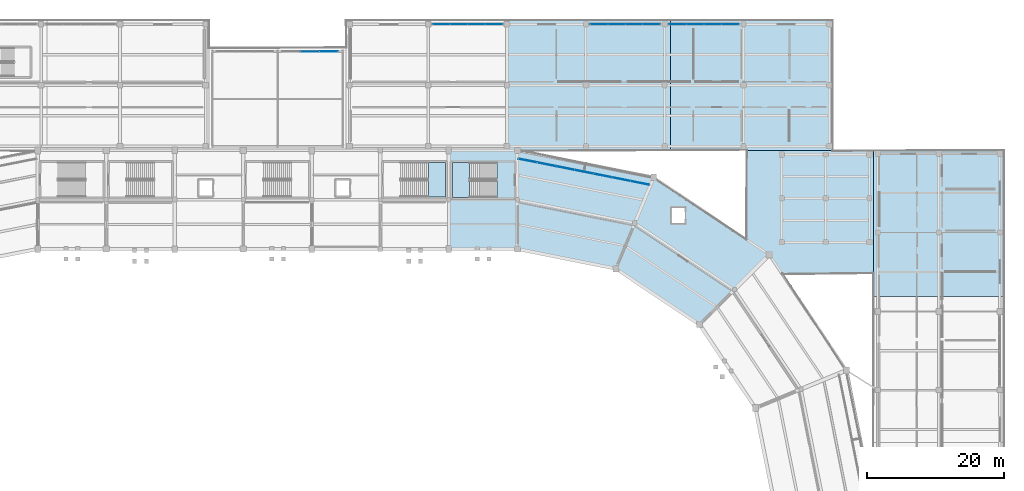
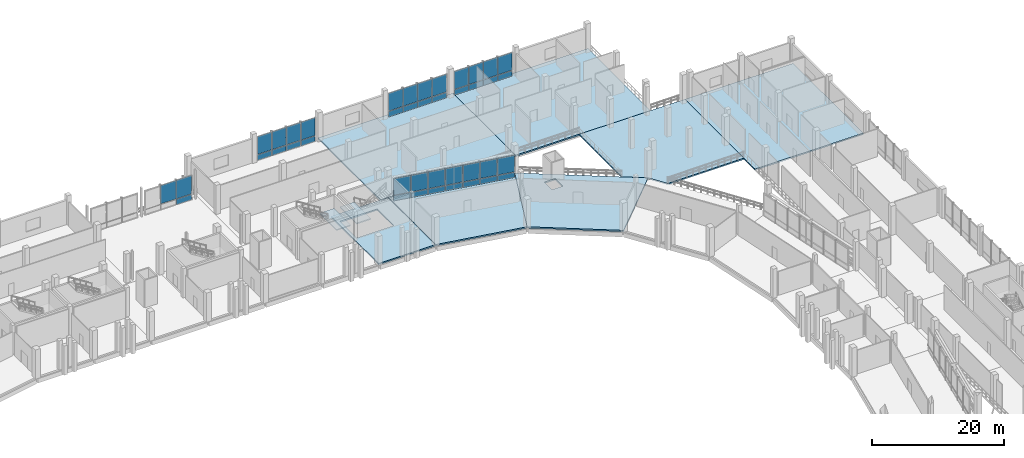
# One storey, part 69 of 114: 41 plates, 9 slabs, 7 elements without a shape of their own.
"""IFC4 building model written with IfcOpenShell, lengths in metres."""

from ifc_helpers import new_model, si_unit, direction, frame, origin, origin_2d, place, context, subcontext, project, spatial, polyline, rectangle, outline, extrude, material, layer, layer_set, type_object, element, aggregate, save


model = new_model("IFC4")

# Units and contexts
model_context = context("Model", 3, precision=1e-05, world=origin(), true_north=direction((0.0, 1.0)))
body_context = subcontext(model_context, "Body", "Model", "MODEL_VIEW")
ifc_project = project(units=[si_unit("LENGTHUNIT", "METRE"), si_unit("AREAUNIT", "SQUARE_METRE"), si_unit("VOLUMEUNIT", "CUBIC_METRE"), si_unit("PLANEANGLEUNIT", "RADIAN"), si_unit("MASSUNIT", "GRAM", prefix="KILO")], contexts=[model_context])

# Site, building, storey
site_placement = place(None, origin())
site = spatial("IfcSite", under=ifc_project, at=site_placement, CompositionType="ELEMENT")
building_placement = place(site_placement, origin())
building = spatial("IfcBuilding", under=site, at=building_placement, Name="Candeia Ridge Stadium", CompositionType="ELEMENT")
storey_placement = place(building_placement, frame((0.0, 0.0, 5.39990234375)))
storey = spatial("IfcBuildingStorey", under=building, at=storey_placement, Name="L01", CompositionType="ELEMENT", Elevation=5.39990234375)

# Slabs
ifc_material_1 = material(Name="Concrete C40/50", Category="concrete")
ifc_layer_1 = layer(ifc_material_1, 0.260009765625, Name="Concrete C40/50", Category="concrete")
ifc_layer_set_1 = layer_set([ifc_layer_1], Name="Concrete C40/50")
slab_type_1 = type_object("IfcSlabType", Name="Concourse Structural Slab 260", PredefinedType="FLOOR", material=ifc_layer_set_1)
slab_1_placement = place(storey_placement, frame((0.0, 0.0, -0.260009765625)))
element("IfcSlab", 1, at=slab_1_placement, inside=storey, type_object=slab_type_1, Name="Bowl concourse sector slab L01 bay 01 SLB-L01-0037", PredefinedType="FLOOR", context=body_context, shape_type="SweptSolid", body=[
    extrude(outline(polyline([(131.0, 132.60009765625), (131.0, 147.0), (140.9599609375, 147.0), (140.9599609375, 132.60009765625), (131.0, 132.60009765625)]), holes=[polyline([(138.04931640625, 145.199951171875), (131.5, 145.199951171875), (131.5, 140.14990234375), (138.04931640625, 140.14990234375), (138.04931640625, 145.199951171875)])]), origin(), (0.0, 0.0, 1.0), 0.260009765625),
])
slab_2_placement = place(storey_placement, frame((0.0, 0.0, -0.260009765625)))
element("IfcSlab", 2, at=slab_2_placement, inside=storey, type_object=slab_type_1, Name="Bowl concourse sector slab L01 bay 35 SLB-L01-0071", PredefinedType="FLOOR", context=body_context, shape_type="SweptSolid", body=[
    extrude(outline(polyline([(155.388916015625, 129.73779296875), (160.8994140625, 143.041748046875), (177.76953125, 131.76953125), (167.587158203125, 121.587158203125), (155.388916015625, 129.73779296875)]), holes=[polyline([(165.449951171875, 136.35009765625), (165.449951171875, 138.64990234375), (163.550048828125, 138.64990234375), (163.550048828125, 136.35009765625), (165.449951171875, 136.35009765625)])]), origin(), (0.0, 0.0, 1.0), 0.260009765625),
])
slab_3_placement = place(storey_placement, frame((0.0, 0.0, -0.260009765625)))
element("IfcSlab", 3, at=slab_3_placement, inside=storey, type_object=slab_type_1, Name="Bowl concourse sector slab L01 bay 36 SLB-L01-0072", PredefinedType="FLOOR", context=body_context, shape_type="SweptSolid", body=[
    extrude(outline(polyline([(141.039306640625, 132.59228515625), (141.039306640625, 146.9921875), (160.8994140625, 143.041748046875), (155.388916015625, 129.73779296875), (141.039306640625, 132.59228515625)])), origin(), (0.0, 0.0, 1.0), 0.260009765625),
])
slab_4_placement = place(storey_placement, frame((0.0, 0.0, -0.260009765625)))
element("IfcSlab", 4, at=slab_4_placement, inside=storey, type_object=slab_type_1, Name="Wing floor slab east SLB-L01-0223", PredefinedType="FLOOR", context=body_context, shape_type="SweptSolid", body=[
    extrude(outline(polyline([(193.0, 125.666748046875), (193.0, 147.0), (212.0, 147.0), (212.0, 125.666748046875), (193.0, 125.666748046875)])), origin(), (0.0, 0.0, 1.0), 0.260009765625),
])
slab_5_placement = place(storey_placement, frame((0.0, 0.0, -0.260009765625)))
element("IfcSlab", 5, at=slab_5_placement, inside=storey, type_object=slab_type_1, Name="Wing floor slab ne_n SLB-L01-0236", PredefinedType="FLOOR", context=body_context, shape_type="SweptSolid", body=[
    extrude(outline(polyline([(139.666748046875, 147.0), (139.666748046875, 166.0), (163.333251953125, 166.0), (163.333251953125, 147.0), (139.666748046875, 147.0)])), origin(), (0.0, 0.0, 1.0), 0.260009765625),
])
slab_6_placement = place(storey_placement, frame((0.0, 0.0, -0.260009765625)))
element("IfcSlab", 6, at=slab_6_placement, inside=storey, type_object=slab_type_1, Name="Wing floor slab ne_n SLB-L01-0237", PredefinedType="FLOOR", context=body_context, shape_type="SweptSolid", body=[
    extrude(outline(polyline([(163.333251953125, 147.0), (163.333251953125, 166.0), (187.0, 166.0), (187.0, 147.0), (163.333251953125, 147.0)])), origin(), (0.0, 0.0, 1.0), 0.260009765625),
])

# Stair, slab
stair_type = type_object("IfcStairType", Name="Enclosed Core Half-Turn Stair 2450", PredefinedType="HALF_TURN_STAIR", material=ifc_material_1)
stair_1_placement = place(storey_placement, origin())
stair_1 = element("IfcStair", 7, at=stair_1_placement, inside=storey, type_object=stair_type, Name="L01 Enclosed exit stair ST04", PredefinedType="HALF_TURN_STAIR")
ifc_layer_2 = layer(ifc_material_1, 0.199951171875, Name="Concrete C40/50", Category="concrete")
ifc_layer_set_2 = layer_set([ifc_layer_2], Name="Concrete C40/50")
slab_type_2 = type_object("IfcSlabType", Name="Core Stair Landing Slab 200", PredefinedType="LANDING", material=ifc_layer_set_2)
slab_7_placement = place(storey_placement, frame((0.0, 0.0, 2.5)))
slab_7 = element("IfcSlab", 8, at=slab_7_placement, type_object=slab_type_2, Name="ST04 landing 1", PredefinedType="LANDING", context=body_context, shape_type="SweptSolid", body=[
    extrude(outline(polyline([(133.989990234375, 145.199951171875), (131.5, 145.199951171875), (131.5, 140.14990234375), (133.989990234375, 140.14990234375), (133.989990234375, 145.199951171875)])), origin(), (0.0, 0.0, 1.0), 0.2001953125),
])
aggregate(stair_1, [slab_7])

stair_2_placement = place(storey_placement, origin())
stair_2 = element("IfcStair", 9, at=stair_2_placement, inside=storey, type_object=stair_type, Name="L01 Enclosed exit stair ST10", PredefinedType="HALF_TURN_STAIR")
slab_8_placement = place(storey_placement, frame((0.0, 0.0, 2.5)))
slab_8 = element("IfcSlab", 10, at=slab_8_placement, type_object=slab_type_2, Name="ST10 landing 1", PredefinedType="LANDING", context=body_context, shape_type="SweptSolid", body=[
    extrude(outline(polyline([(128.010009765625, 140.199951171875), (130.5, 140.199951171875), (130.5, 145.25), (128.010009765625, 145.25), (128.010009765625, 140.199951171875)])), origin(), (0.0, 0.0, 1.0), 0.2001953125),
])
aggregate(stair_2, [slab_8])

# Curtain wall, plates
ifc_material_2 = material(Name="Aluminium Anodized Warm Bronze", Category="aluminium")
curtain_wall_type_1 = type_object("IfcCurtainWallType", Name="Cardinal Entrance Gate Tall Glazed Curtain Wall", PredefinedType="NOTDEFINED", material=ifc_material_2)
curtain_wall_1_placement = place(storey_placement, origin())
curtain_wall_1 = element("IfcCurtainWall", 11, at=curtain_wall_1_placement, inside=storey, type_object=curtain_wall_type_1, Name="Unitised curtain wall CW-WNG-L01-148", PredefinedType="NOTDEFINED")
ifc_material_3 = material(Name="Laminated Acoustic Glazing", Category="glass")
ifc_layer_3 = layer(ifc_material_3, 0.035888671875, Name="Laminated Acoustic Glazing", Category="glass")
ifc_layer_set_3 = layer_set([ifc_layer_3], Name="Laminated Acoustic Glazing")
plate_type_1 = type_object("IfcPlateType", Name="Gate Tall Laminated Glass Panel GP3", PredefinedType="CURTAIN_PANEL", material=ifc_layer_set_3)
plate_1_placement = place(storey_placement, frame((110.75, 161.39990234375, 1.14013671875), z_axis=(0.0, 0.0, 1.0), x_axis=(1.0, 0.0, 0.0)))
plate_1 = element("IfcPlate", 12, at=plate_1_placement, type_object=plate_type_1, Name="Curtain wall vision glass panel CW-WNG-L01-148-GP1", PredefinedType="CURTAIN_PANEL", context=body_context, shape_type="SweptSolid", body=[
    extrude(rectangle(XDim=2.65673828125, YDim=0.035888671875, at=origin_2d()), origin(), (0.0, 0.0, 1.0), 3.412109375),
])
plate_2_placement = place(storey_placement, frame((113.476806640625, 161.39990234375, 1.14013671875), z_axis=(0.0, 0.0, 1.0), x_axis=(1.0, 0.0, 0.0)))
plate_2 = element("IfcPlate", 13, at=plate_2_placement, type_object=plate_type_1, Name="Curtain wall vision glass panel CW-WNG-L01-148-GP2", PredefinedType="CURTAIN_PANEL", context=body_context, shape_type="SweptSolid", body=[
    extrude(rectangle(XDim=2.65673828125, YDim=0.035888671875, at=origin_2d()), origin(), (0.0, 0.0, 1.0), 3.412109375),
])

# Slab
ifc_layer_4 = layer(ifc_material_1, 0.25, Name="Concrete C40/50", Category="concrete")
ifc_layer_set_4 = layer_set([ifc_layer_4], Name="Concrete C40/50")
slab_type_3 = type_object("IfcSlabType", Name="Hospitality & Museum Slab 250", PredefinedType="FLOOR", material=ifc_layer_set_4)
slab_9_placement = place(storey_placement, frame((0.0, 0.0, -0.25)))
element("IfcSlab", 14, at=slab_9_placement, inside=storey, type_object=slab_type_3, Name="Wing floor slab sp_ne SLB-L01-0242", PredefinedType="FLOOR", context=body_context, shape_type="SweptSolid", body=[
    extrude(outline(polyline([(193.0, 147.0), (193.0, 129.0), (179.626220703125, 129.0), (177.773681640625, 131.772216796875), (177.7734375, 131.772705078125), (177.773193359375, 131.773193359375), (177.772705078125, 131.7734375), (177.772216796875, 131.773681640625), (174.5, 133.960205078125), (174.5, 147.0), (193.0, 147.0)])), origin(), (0.0, 0.0, 1.0), 0.25),
])

# Curtain wall, plates
curtain_wall_type_2 = type_object("IfcCurtainWallType", Name="Concourse Recessed Unitised Curtain Wall", PredefinedType="NOTDEFINED", material=ifc_material_2)
curtain_wall_2_placement = place(storey_placement, origin())
curtain_wall_2 = element("IfcCurtainWall", 15, at=curtain_wall_2_placement, inside=storey, type_object=curtain_wall_type_2, Name="Unitised curtain wall CW-BWL-L01-35", PredefinedType="NOTDEFINED")
ifc_material_4 = material(Name="Aluminium Insulated Spandrel", Category="aluminium")
ifc_layer_5 = layer(ifc_material_4, 0.06494140625, Name="Aluminium Insulated Spandrel", Category="aluminium")
ifc_layer_set_5 = layer_set([ifc_layer_5], Name="Aluminium Insulated Spandrel")
plate_type_2 = type_object("IfcPlateType", Name="Insulated Bronze Spandrel Panel SP1", PredefinedType="CURTAIN_PANEL", material=ifc_layer_set_5)
plate_3_placement = place(storey_placement, frame((158.900390625, 142.239501953125, 0.0400390625), z_axis=(0.0, 0.0, 1.0), x_axis=(-0.980785280696, 0.195090320544, 0.0)))
plate_3 = element("IfcPlate", 16, at=plate_3_placement, type_object=plate_type_2, Name="Curtain wall spandrel panel CW-BWL-L01-35-SP0", PredefinedType="CURTAIN_PANEL", context=body_context, shape_type="SweptSolid", body=[
    extrude(rectangle(XDim=2.710205078125, YDim=0.06494140625, at=origin_2d()), origin(), (0.0, 0.0, 1.0), 0.97119140625),
])
plate_4_placement = place(storey_placement, frame((156.173583984375, 142.78173828125, 0.0400390625), z_axis=(0.0, 0.0, 1.0), x_axis=(-0.980785280696, 0.195090320544, 0.0)))
plate_4 = element("IfcPlate", 17, at=plate_4_placement, type_object=plate_type_2, Name="Curtain wall spandrel panel CW-BWL-L01-35-SP1", PredefinedType="CURTAIN_PANEL", context=body_context, shape_type="SweptSolid", body=[
    extrude(rectangle(XDim=2.710205078125, YDim=0.06494140625, at=origin_2d()), origin(), (0.0, 0.0, 1.0), 0.97119140625),
])
plate_5_placement = place(storey_placement, frame((153.447021484375, 143.32421875, 0.0400390625), z_axis=(0.0, 0.0, 1.0), x_axis=(-0.980785280696, 0.195090320544, 0.0)))
plate_5 = element("IfcPlate", 18, at=plate_5_placement, type_object=plate_type_2, Name="Curtain wall spandrel panel CW-BWL-L01-35-SP2", PredefinedType="CURTAIN_PANEL", context=body_context, shape_type="SweptSolid", body=[
    extrude(rectangle(XDim=2.710205078125, YDim=0.06494140625, at=origin_2d()), origin(), (0.0, 0.0, 1.0), 0.97119140625),
])
plate_6_placement = place(storey_placement, frame((150.72021484375, 143.86669921875, 0.0400390625), z_axis=(0.0, 0.0, 1.0), x_axis=(-0.980785280696, 0.195090320544, 0.0)))
plate_6 = element("IfcPlate", 19, at=plate_6_placement, type_object=plate_type_2, Name="Curtain wall spandrel panel CW-BWL-L01-35-SP3", PredefinedType="CURTAIN_PANEL", context=body_context, shape_type="SweptSolid", body=[
    extrude(rectangle(XDim=2.710205078125, YDim=0.06494140625, at=origin_2d()), origin(), (0.0, 0.0, 1.0), 0.97119140625),
])
plate_7_placement = place(storey_placement, frame((147.993408203125, 144.408935546875, 0.0400390625), z_axis=(0.0, 0.0, 1.0), x_axis=(-0.980785280696, 0.195090320544, 0.0)))
plate_7 = element("IfcPlate", 20, at=plate_7_placement, type_object=plate_type_2, Name="Curtain wall spandrel panel CW-BWL-L01-35-SP4", PredefinedType="CURTAIN_PANEL", context=body_context, shape_type="SweptSolid", body=[
    extrude(rectangle(XDim=2.710205078125, YDim=0.06494140625, at=origin_2d()), origin(), (0.0, 0.0, 1.0), 0.97119140625),
])
plate_8_placement = place(storey_placement, frame((145.2666015625, 144.951416015625, 0.0400390625), z_axis=(0.0, 0.0, 1.0), x_axis=(-0.980785280696, 0.195090320544, 0.0)))
plate_8 = element("IfcPlate", 21, at=plate_8_placement, type_object=plate_type_2, Name="Curtain wall spandrel panel CW-BWL-L01-35-SP5", PredefinedType="CURTAIN_PANEL", context=body_context, shape_type="SweptSolid", body=[
    extrude(rectangle(XDim=2.710205078125, YDim=0.06494140625, at=origin_2d()), origin(), (0.0, 0.0, 1.0), 0.97119140625),
])
plate_9_placement = place(storey_placement, frame((142.539794921875, 145.49365234375, 0.0400390625), z_axis=(0.0, 0.0, 1.0), x_axis=(-0.980785280696, 0.195090320544, 0.0)))
plate_9 = element("IfcPlate", 22, at=plate_9_placement, type_object=plate_type_2, Name="Curtain wall spandrel panel CW-BWL-L01-35-SP6", PredefinedType="CURTAIN_PANEL", context=body_context, shape_type="SweptSolid", body=[
    extrude(rectangle(XDim=2.710205078125, YDim=0.06494140625, at=origin_2d()), origin(), (0.0, 0.0, 1.0), 0.97119140625),
])

curtain_wall_type_3 = type_object("IfcCurtainWallType", Name="Museum & Boulevard Showcase Curtain Wall", PredefinedType="NOTDEFINED", material=ifc_material_2)
curtain_wall_3_placement = place(storey_placement, origin())
curtain_wall_3 = element("IfcCurtainWall", 23, at=curtain_wall_3_placement, inside=storey, type_object=curtain_wall_type_3, Name="Unitised curtain wall CW-WNG-L01-144", PredefinedType="NOTDEFINED")
ifc_layer_6 = layer(ifc_material_4, 0.06494140625, Name="Aluminium Insulated Spandrel", Category="aluminium")
ifc_layer_set_6 = layer_set([ifc_layer_6], Name="Aluminium Insulated Spandrel")
plate_type_3 = type_object("IfcPlateType", Name="Insulated Cedar-Tone Spandrel Panel SP3", PredefinedType="CURTAIN_PANEL", material=ifc_layer_set_6)
plate_10_placement = place(storey_placement, frame((129.9326171875, 165.39990234375, 0.0400390625), z_axis=(0.0, 0.0, 1.0), x_axis=(1.0, 0.0, 0.0)))
plate_10 = element("IfcPlate", 24, at=plate_10_placement, type_object=plate_type_3, Name="Curtain wall spandrel panel CW-WNG-L01-144-SP0", PredefinedType="CURTAIN_PANEL", context=body_context, shape_type="SweptSolid", body=[
    extrude(rectangle(XDim=2.47509765625, YDim=0.06494140625, at=origin_2d()), origin(), (0.0, 0.0, 1.0), 1.02001953125),
])
plate_11_placement = place(storey_placement, frame((132.4775390625, 165.39990234375, 0.0400390625), z_axis=(0.0, 0.0, 1.0), x_axis=(1.0, 0.0, 0.0)))
plate_11 = element("IfcPlate", 25, at=plate_11_placement, type_object=plate_type_3, Name="Curtain wall spandrel panel CW-WNG-L01-144-SP1", PredefinedType="CURTAIN_PANEL", context=body_context, shape_type="SweptSolid", body=[
    extrude(rectangle(XDim=2.47509765625, YDim=0.06494140625, at=origin_2d()), origin(), (0.0, 0.0, 1.0), 1.02001953125),
])
plate_12_placement = place(storey_placement, frame((135.0224609375, 165.39990234375, 0.0400390625), z_axis=(0.0, 0.0, 1.0), x_axis=(1.0, 0.0, 0.0)))
plate_12 = element("IfcPlate", 26, at=plate_12_placement, type_object=plate_type_3, Name="Curtain wall spandrel panel CW-WNG-L01-144-SP2", PredefinedType="CURTAIN_PANEL", context=body_context, shape_type="SweptSolid", body=[
    extrude(rectangle(XDim=2.47509765625, YDim=0.06494140625, at=origin_2d()), origin(), (0.0, 0.0, 1.0), 1.02001953125),
])
plate_13_placement = place(storey_placement, frame((137.5673828125, 165.39990234375, 0.0400390625), z_axis=(0.0, 0.0, 1.0), x_axis=(1.0, 0.0, 0.0)))
plate_13 = element("IfcPlate", 27, at=plate_13_placement, type_object=plate_type_3, Name="Curtain wall spandrel panel CW-WNG-L01-144-SP3", PredefinedType="CURTAIN_PANEL", context=body_context, shape_type="SweptSolid", body=[
    extrude(rectangle(XDim=2.47509765625, YDim=0.06494140625, at=origin_2d()), origin(), (0.0, 0.0, 1.0), 1.02001953125),
])

curtain_wall_4_placement = place(storey_placement, origin())
curtain_wall_4 = element("IfcCurtainWall", 28, at=curtain_wall_4_placement, inside=storey, type_object=curtain_wall_type_3, Name="Unitised curtain wall CW-WNG-L01-145", PredefinedType="NOTDEFINED")
plate_14_placement = place(storey_placement, frame((152.9326171875, 165.39990234375, 0.0400390625), z_axis=(0.0, 0.0, 1.0), x_axis=(1.0, 0.0, 0.0)))
plate_14 = element("IfcPlate", 29, at=plate_14_placement, type_object=plate_type_3, Name="Curtain wall spandrel panel CW-WNG-L01-145-SP0", PredefinedType="CURTAIN_PANEL", context=body_context, shape_type="SweptSolid", body=[
    extrude(rectangle(XDim=2.47509765625, YDim=0.06494140625, at=origin_2d()), origin(), (0.0, 0.0, 1.0), 1.02001953125),
])
plate_15_placement = place(storey_placement, frame((155.4775390625, 165.39990234375, 0.0400390625), z_axis=(0.0, 0.0, 1.0), x_axis=(1.0, 0.0, 0.0)))
plate_15 = element("IfcPlate", 30, at=plate_15_placement, type_object=plate_type_3, Name="Curtain wall spandrel panel CW-WNG-L01-145-SP1", PredefinedType="CURTAIN_PANEL", context=body_context, shape_type="SweptSolid", body=[
    extrude(rectangle(XDim=2.47509765625, YDim=0.06494140625, at=origin_2d()), origin(), (0.0, 0.0, 1.0), 1.02001953125),
])
plate_16_placement = place(storey_placement, frame((158.0224609375, 165.39990234375, 0.0400390625), z_axis=(0.0, 0.0, 1.0), x_axis=(1.0, 0.0, 0.0)))
plate_16 = element("IfcPlate", 31, at=plate_16_placement, type_object=plate_type_3, Name="Curtain wall spandrel panel CW-WNG-L01-145-SP2", PredefinedType="CURTAIN_PANEL", context=body_context, shape_type="SweptSolid", body=[
    extrude(rectangle(XDim=2.47509765625, YDim=0.06494140625, at=origin_2d()), origin(), (0.0, 0.0, 1.0), 1.02001953125),
])
plate_17_placement = place(storey_placement, frame((160.5673828125, 165.39990234375, 0.0400390625), z_axis=(0.0, 0.0, 1.0), x_axis=(1.0, 0.0, 0.0)))
plate_17 = element("IfcPlate", 32, at=plate_17_placement, type_object=plate_type_3, Name="Curtain wall spandrel panel CW-WNG-L01-145-SP3", PredefinedType="CURTAIN_PANEL", context=body_context, shape_type="SweptSolid", body=[
    extrude(rectangle(XDim=2.47509765625, YDim=0.06494140625, at=origin_2d()), origin(), (0.0, 0.0, 1.0), 1.02001953125),
])

curtain_wall_5_placement = place(storey_placement, origin())
curtain_wall_5 = element("IfcCurtainWall", 33, at=curtain_wall_5_placement, inside=storey, type_object=curtain_wall_type_3, Name="Unitised curtain wall CW-WNG-L01-146", PredefinedType="NOTDEFINED")
plate_18_placement = place(storey_placement, frame((164.4326171875, 165.39990234375, 0.0400390625), z_axis=(0.0, 0.0, 1.0), x_axis=(1.0, 0.0, 0.0)))
plate_18 = element("IfcPlate", 34, at=plate_18_placement, type_object=plate_type_3, Name="Curtain wall spandrel panel CW-WNG-L01-146-SP0", PredefinedType="CURTAIN_PANEL", context=body_context, shape_type="SweptSolid", body=[
    extrude(rectangle(XDim=2.47509765625, YDim=0.06494140625, at=origin_2d()), origin(), (0.0, 0.0, 1.0), 1.02001953125),
])
plate_19_placement = place(storey_placement, frame((166.9775390625, 165.39990234375, 0.0400390625), z_axis=(0.0, 0.0, 1.0), x_axis=(1.0, 0.0, 0.0)))
plate_19 = element("IfcPlate", 35, at=plate_19_placement, type_object=plate_type_3, Name="Curtain wall spandrel panel CW-WNG-L01-146-SP1", PredefinedType="CURTAIN_PANEL", context=body_context, shape_type="SweptSolid", body=[
    extrude(rectangle(XDim=2.47509765625, YDim=0.06494140625, at=origin_2d()), origin(), (0.0, 0.0, 1.0), 1.02001953125),
])
plate_20_placement = place(storey_placement, frame((169.5224609375, 165.39990234375, 0.0400390625), z_axis=(0.0, 0.0, 1.0), x_axis=(1.0, 0.0, 0.0)))
plate_20 = element("IfcPlate", 36, at=plate_20_placement, type_object=plate_type_3, Name="Curtain wall spandrel panel CW-WNG-L01-146-SP2", PredefinedType="CURTAIN_PANEL", context=body_context, shape_type="SweptSolid", body=[
    extrude(rectangle(XDim=2.47509765625, YDim=0.06494140625, at=origin_2d()), origin(), (0.0, 0.0, 1.0), 1.02001953125),
])
plate_21_placement = place(storey_placement, frame((172.0673828125, 165.39990234375, 0.0400390625), z_axis=(0.0, 0.0, 1.0), x_axis=(1.0, 0.0, 0.0)))
plate_21 = element("IfcPlate", 37, at=plate_21_placement, type_object=plate_type_3, Name="Curtain wall spandrel panel CW-WNG-L01-146-SP3", PredefinedType="CURTAIN_PANEL", context=body_context, shape_type="SweptSolid", body=[
    extrude(rectangle(XDim=2.47509765625, YDim=0.06494140625, at=origin_2d()), origin(), (0.0, 0.0, 1.0), 1.02001953125),
])

# Plate
plate_22_placement = place(storey_placement, frame((113.476806640625, 161.39990234375, 0.0400390625), z_axis=(0.0, 0.0, 1.0), x_axis=(1.0, 0.0, 0.0)))
plate_22 = element("IfcPlate", 38, at=plate_22_placement, type_object=plate_type_3, Name="Curtain wall spandrel panel CW-WNG-L01-148-SP2", PredefinedType="CURTAIN_PANEL", context=body_context, shape_type="SweptSolid", body=[
    extrude(rectangle(XDim=2.65673828125, YDim=0.06494140625, at=origin_2d()), origin(), (0.0, 0.0, 1.0), 1.02001953125),
])

aggregate(curtain_wall_1, [plate_1, plate_22, plate_2])

ifc_material_5 = material(Name="Tempered Low-E Double Glazing", Category="glass")
ifc_layer_7 = layer(ifc_material_5, 0.035888671875, Name="Tempered Low-E Double Glazing", Category="glass")
ifc_layer_set_7 = layer_set([ifc_layer_7], Name="Tempered Low-E Double Glazing")
plate_type_4 = type_object("IfcPlateType", Name="Pavilion Panorama Glass Panel GP4", PredefinedType="CURTAIN_PANEL", material=ifc_layer_set_7)
plate_23_placement = place(storey_placement, frame((129.9326171875, 165.39990234375, 1.14013671875), z_axis=(0.0, 0.0, 1.0), x_axis=(1.0, 0.0, 0.0)))
plate_23 = element("IfcPlate", 39, at=plate_23_placement, type_object=plate_type_4, Name="Curtain wall vision glass panel CW-WNG-L01-144-GP0", PredefinedType="CURTAIN_PANEL", context=body_context, shape_type="SweptSolid", body=[
    extrude(rectangle(XDim=2.47509765625, YDim=0.035888671875, at=origin_2d()), origin(), (0.0, 0.0, 1.0), 3.294921875),
])

plate_24_placement = place(storey_placement, frame((132.4775390625, 165.39990234375, 1.14013671875), z_axis=(0.0, 0.0, 1.0), x_axis=(1.0, 0.0, 0.0)))
plate_24 = element("IfcPlate", 40, at=plate_24_placement, type_object=plate_type_4, Name="Curtain wall vision glass panel CW-WNG-L01-144-GP1", PredefinedType="CURTAIN_PANEL", context=body_context, shape_type="SweptSolid", body=[
    extrude(rectangle(XDim=2.47509765625, YDim=0.035888671875, at=origin_2d()), origin(), (0.0, 0.0, 1.0), 3.294921875),
])

plate_25_placement = place(storey_placement, frame((135.0224609375, 165.39990234375, 1.14013671875), z_axis=(0.0, 0.0, 1.0), x_axis=(1.0, 0.0, 0.0)))
plate_25 = element("IfcPlate", 41, at=plate_25_placement, type_object=plate_type_4, Name="Curtain wall vision glass panel CW-WNG-L01-144-GP2", PredefinedType="CURTAIN_PANEL", context=body_context, shape_type="SweptSolid", body=[
    extrude(rectangle(XDim=2.47509765625, YDim=0.035888671875, at=origin_2d()), origin(), (0.0, 0.0, 1.0), 3.294921875),
])

plate_26_placement = place(storey_placement, frame((137.5673828125, 165.39990234375, 1.14013671875), z_axis=(0.0, 0.0, 1.0), x_axis=(1.0, 0.0, 0.0)))
plate_26 = element("IfcPlate", 42, at=plate_26_placement, type_object=plate_type_4, Name="Curtain wall vision glass panel CW-WNG-L01-144-GP3", PredefinedType="CURTAIN_PANEL", context=body_context, shape_type="SweptSolid", body=[
    extrude(rectangle(XDim=2.47509765625, YDim=0.035888671875, at=origin_2d()), origin(), (0.0, 0.0, 1.0), 3.294921875),
])

aggregate(curtain_wall_3, [plate_10, plate_23, plate_11, plate_24, plate_12, plate_25, plate_13, plate_26])

plate_27_placement = place(storey_placement, frame((152.9326171875, 165.39990234375, 1.14013671875), z_axis=(0.0, 0.0, 1.0), x_axis=(1.0, 0.0, 0.0)))
plate_27 = element("IfcPlate", 43, at=plate_27_placement, type_object=plate_type_4, Name="Curtain wall vision glass panel CW-WNG-L01-145-GP0", PredefinedType="CURTAIN_PANEL", context=body_context, shape_type="SweptSolid", body=[
    extrude(rectangle(XDim=2.47509765625, YDim=0.035888671875, at=origin_2d()), origin(), (0.0, 0.0, 1.0), 3.294921875),
])

plate_28_placement = place(storey_placement, frame((155.4775390625, 165.39990234375, 1.14013671875), z_axis=(0.0, 0.0, 1.0), x_axis=(1.0, 0.0, 0.0)))
plate_28 = element("IfcPlate", 44, at=plate_28_placement, type_object=plate_type_4, Name="Curtain wall vision glass panel CW-WNG-L01-145-GP1", PredefinedType="CURTAIN_PANEL", context=body_context, shape_type="SweptSolid", body=[
    extrude(rectangle(XDim=2.47509765625, YDim=0.035888671875, at=origin_2d()), origin(), (0.0, 0.0, 1.0), 3.294921875),
])

plate_29_placement = place(storey_placement, frame((158.0224609375, 165.39990234375, 1.14013671875), z_axis=(0.0, 0.0, 1.0), x_axis=(1.0, 0.0, 0.0)))
plate_29 = element("IfcPlate", 45, at=plate_29_placement, type_object=plate_type_4, Name="Curtain wall vision glass panel CW-WNG-L01-145-GP2", PredefinedType="CURTAIN_PANEL", context=body_context, shape_type="SweptSolid", body=[
    extrude(rectangle(XDim=2.47509765625, YDim=0.035888671875, at=origin_2d()), origin(), (0.0, 0.0, 1.0), 3.294921875),
])

plate_30_placement = place(storey_placement, frame((160.5673828125, 165.39990234375, 1.14013671875), z_axis=(0.0, 0.0, 1.0), x_axis=(1.0, 0.0, 0.0)))
plate_30 = element("IfcPlate", 46, at=plate_30_placement, type_object=plate_type_4, Name="Curtain wall vision glass panel CW-WNG-L01-145-GP3", PredefinedType="CURTAIN_PANEL", context=body_context, shape_type="SweptSolid", body=[
    extrude(rectangle(XDim=2.47509765625, YDim=0.035888671875, at=origin_2d()), origin(), (0.0, 0.0, 1.0), 3.294921875),
])

aggregate(curtain_wall_4, [plate_14, plate_27, plate_15, plate_28, plate_16, plate_29, plate_17, plate_30])

plate_31_placement = place(storey_placement, frame((164.4326171875, 165.39990234375, 1.14013671875), z_axis=(0.0, 0.0, 1.0), x_axis=(1.0, 0.0, 0.0)))
plate_31 = element("IfcPlate", 47, at=plate_31_placement, type_object=plate_type_4, Name="Curtain wall vision glass panel CW-WNG-L01-146-GP0", PredefinedType="CURTAIN_PANEL", context=body_context, shape_type="SweptSolid", body=[
    extrude(rectangle(XDim=2.47509765625, YDim=0.035888671875, at=origin_2d()), origin(), (0.0, 0.0, 1.0), 3.294921875),
])

plate_32_placement = place(storey_placement, frame((166.9775390625, 165.39990234375, 1.14013671875), z_axis=(0.0, 0.0, 1.0), x_axis=(1.0, 0.0, 0.0)))
plate_32 = element("IfcPlate", 48, at=plate_32_placement, type_object=plate_type_4, Name="Curtain wall vision glass panel CW-WNG-L01-146-GP1", PredefinedType="CURTAIN_PANEL", context=body_context, shape_type="SweptSolid", body=[
    extrude(rectangle(XDim=2.47509765625, YDim=0.035888671875, at=origin_2d()), origin(), (0.0, 0.0, 1.0), 3.294921875),
])

plate_33_placement = place(storey_placement, frame((169.5224609375, 165.39990234375, 1.14013671875), z_axis=(0.0, 0.0, 1.0), x_axis=(1.0, 0.0, 0.0)))
plate_33 = element("IfcPlate", 49, at=plate_33_placement, type_object=plate_type_4, Name="Curtain wall vision glass panel CW-WNG-L01-146-GP2", PredefinedType="CURTAIN_PANEL", context=body_context, shape_type="SweptSolid", body=[
    extrude(rectangle(XDim=2.47509765625, YDim=0.035888671875, at=origin_2d()), origin(), (0.0, 0.0, 1.0), 3.294921875),
])

plate_34_placement = place(storey_placement, frame((172.0673828125, 165.39990234375, 1.14013671875), z_axis=(0.0, 0.0, 1.0), x_axis=(1.0, 0.0, 0.0)))
plate_34 = element("IfcPlate", 50, at=plate_34_placement, type_object=plate_type_4, Name="Curtain wall vision glass panel CW-WNG-L01-146-GP3", PredefinedType="CURTAIN_PANEL", context=body_context, shape_type="SweptSolid", body=[
    extrude(rectangle(XDim=2.47509765625, YDim=0.035888671875, at=origin_2d()), origin(), (0.0, 0.0, 1.0), 3.294921875),
])

aggregate(curtain_wall_5, [plate_18, plate_31, plate_19, plate_32, plate_20, plate_33, plate_21, plate_34])

ifc_layer_8 = layer(ifc_material_5, 0.035888671875, Name="Tempered Low-E Double Glazing", Category="glass")
ifc_layer_set_8 = layer_set([ifc_layer_8], Name="Tempered Low-E Double Glazing")
plate_type_5 = type_object("IfcPlateType", Name="Solar Control Vision Glass Panel GP1", PredefinedType="CURTAIN_PANEL", material=ifc_layer_set_8)
plate_35_placement = place(storey_placement, frame((158.900390625, 142.239501953125, 1.09130859375), z_axis=(0.0, 0.0, 1.0), x_axis=(-0.980785280696, 0.195090320544, 0.0)))
plate_35 = element("IfcPlate", 51, at=plate_35_placement, type_object=plate_type_5, Name="Curtain wall vision glass panel CW-BWL-L01-35-GP0", PredefinedType="CURTAIN_PANEL", context=body_context, shape_type="SweptSolid", body=[
    extrude(rectangle(XDim=2.710205078125, YDim=0.035888671875, at=origin_2d()), origin(), (0.0, 0.0, 1.0), 3.07373046875),
])

plate_36_placement = place(storey_placement, frame((156.173583984375, 142.78173828125, 1.09130859375), z_axis=(0.0, 0.0, 1.0), x_axis=(-0.980785280696, 0.195090320544, 0.0)))
plate_36 = element("IfcPlate", 52, at=plate_36_placement, type_object=plate_type_5, Name="Curtain wall vision glass panel CW-BWL-L01-35-GP1", PredefinedType="CURTAIN_PANEL", context=body_context, shape_type="SweptSolid", body=[
    extrude(rectangle(XDim=2.710205078125, YDim=0.035888671875, at=origin_2d()), origin(), (0.0, 0.0, 1.0), 3.07373046875),
])

plate_37_placement = place(storey_placement, frame((153.447021484375, 143.32421875, 1.09130859375), z_axis=(0.0, 0.0, 1.0), x_axis=(-0.980785280696, 0.195090320544, 0.0)))
plate_37 = element("IfcPlate", 53, at=plate_37_placement, type_object=plate_type_5, Name="Curtain wall vision glass panel CW-BWL-L01-35-GP2", PredefinedType="CURTAIN_PANEL", context=body_context, shape_type="SweptSolid", body=[
    extrude(rectangle(XDim=2.710205078125, YDim=0.035888671875, at=origin_2d()), origin(), (0.0, 0.0, 1.0), 3.07373046875),
])

plate_38_placement = place(storey_placement, frame((150.72021484375, 143.86669921875, 1.09130859375), z_axis=(0.0, 0.0, 1.0), x_axis=(-0.980785280696, 0.195090320544, 0.0)))
plate_38 = element("IfcPlate", 54, at=plate_38_placement, type_object=plate_type_5, Name="Curtain wall vision glass panel CW-BWL-L01-35-GP3", PredefinedType="CURTAIN_PANEL", context=body_context, shape_type="SweptSolid", body=[
    extrude(rectangle(XDim=2.710205078125, YDim=0.035888671875, at=origin_2d()), origin(), (0.0, 0.0, 1.0), 3.07373046875),
])

plate_39_placement = place(storey_placement, frame((147.993408203125, 144.408935546875, 1.09130859375), z_axis=(0.0, 0.0, 1.0), x_axis=(-0.980785280696, 0.195090320544, 0.0)))
plate_39 = element("IfcPlate", 55, at=plate_39_placement, type_object=plate_type_5, Name="Curtain wall vision glass panel CW-BWL-L01-35-GP4", PredefinedType="CURTAIN_PANEL", context=body_context, shape_type="SweptSolid", body=[
    extrude(rectangle(XDim=2.710205078125, YDim=0.035888671875, at=origin_2d()), origin(), (0.0, 0.0, 1.0), 3.07373046875),
])

plate_40_placement = place(storey_placement, frame((145.2666015625, 144.951416015625, 1.09130859375), z_axis=(0.0, 0.0, 1.0), x_axis=(-0.980785280696, 0.195090320544, 0.0)))
plate_40 = element("IfcPlate", 56, at=plate_40_placement, type_object=plate_type_5, Name="Curtain wall vision glass panel CW-BWL-L01-35-GP5", PredefinedType="CURTAIN_PANEL", context=body_context, shape_type="SweptSolid", body=[
    extrude(rectangle(XDim=2.710205078125, YDim=0.035888671875, at=origin_2d()), origin(), (0.0, 0.0, 1.0), 3.07373046875),
])

plate_41_placement = place(storey_placement, frame((142.539794921875, 145.49365234375, 1.09130859375), z_axis=(0.0, 0.0, 1.0), x_axis=(-0.980785280696, 0.195090320544, 0.0)))
plate_41 = element("IfcPlate", 57, at=plate_41_placement, type_object=plate_type_5, Name="Curtain wall vision glass panel CW-BWL-L01-35-GP6", PredefinedType="CURTAIN_PANEL", context=body_context, shape_type="SweptSolid", body=[
    extrude(rectangle(XDim=2.710205078125, YDim=0.035888671875, at=origin_2d()), origin(), (0.0, 0.0, 1.0), 3.07373046875),
])

aggregate(curtain_wall_2, [plate_3, plate_35, plate_4, plate_36, plate_5, plate_37, plate_6, plate_38, plate_7, plate_39, plate_8, plate_40, plate_9, plate_41])

save(model, "model.ifc")
